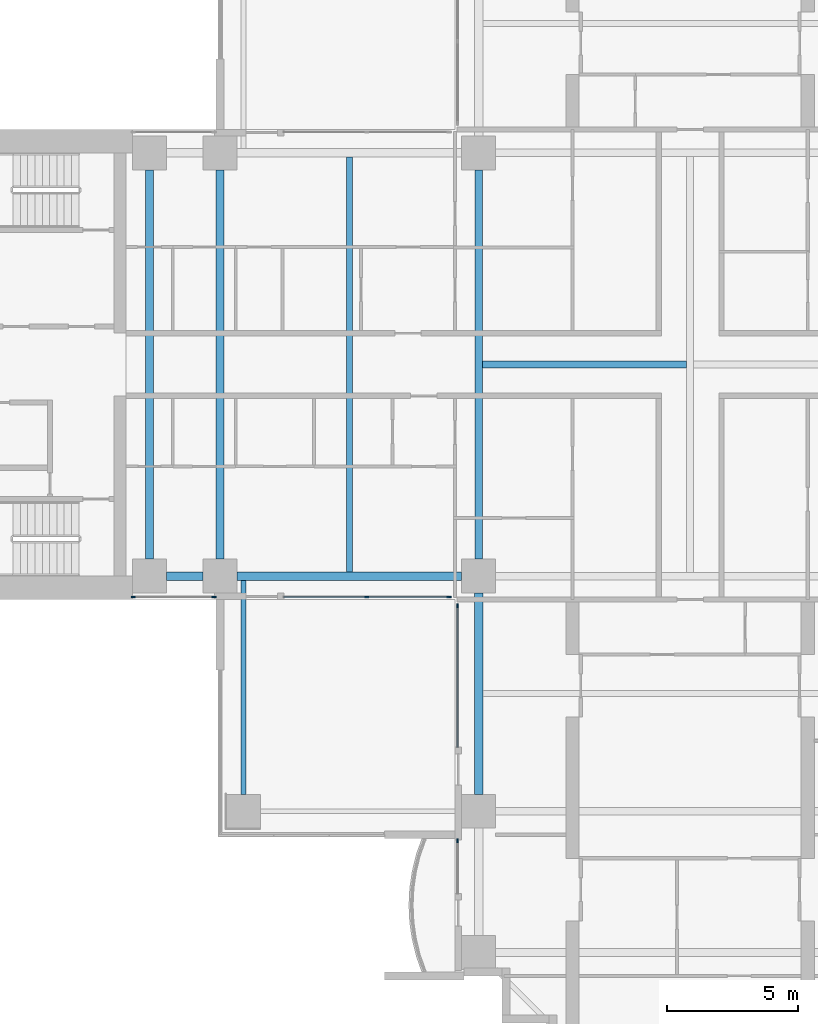
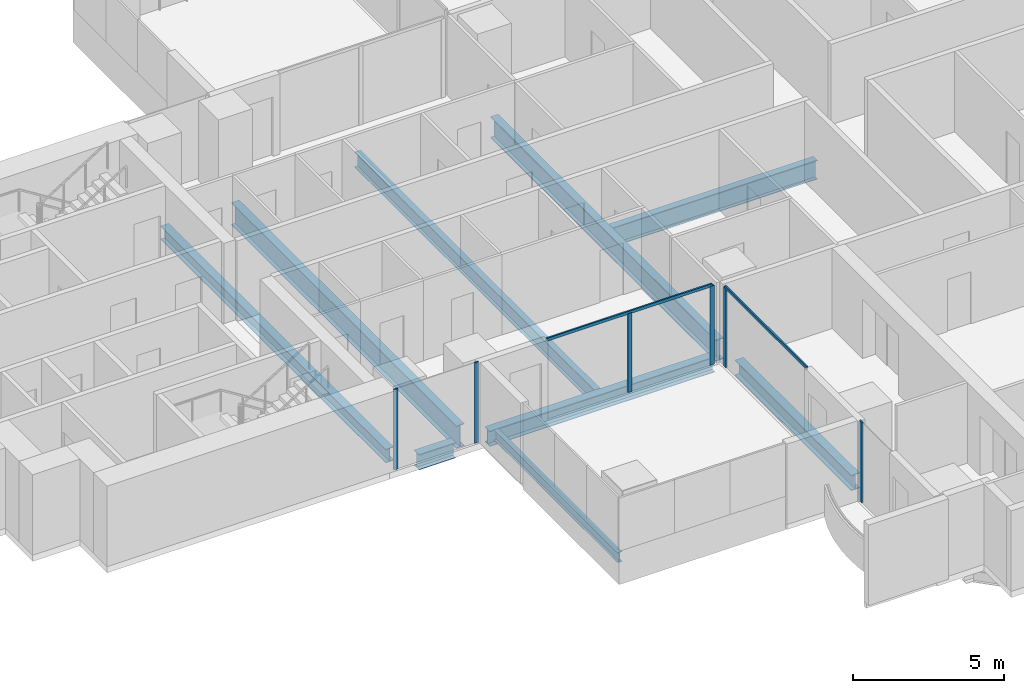
# One storey, part 2 of 20: 9 beams, 8 members, 4 elements without a shape of their own.
"""IFC4 building model written with IfcOpenShell, lengths in metres."""

from ifc_helpers import new_model, si_unit, direction, frame, origin, origin_2d, place, context, subcontext, project, spatial, rectangle, i_section, extrude, material, material_profile, profile_set, type_object, element, aggregate, save


model = new_model("IFC4")

# Units and contexts
model_context = context("Model", 3, precision=1e-05, world=origin(), true_north=direction((0.0, 1.0)))
body_context = subcontext(model_context, "Body", "Model", "MODEL_VIEW")
ifc_project = project(units=[si_unit("LENGTHUNIT", "METRE"), si_unit("AREAUNIT", "SQUARE_METRE"), si_unit("VOLUMEUNIT", "CUBIC_METRE"), si_unit("PLANEANGLEUNIT", "RADIAN"), si_unit("MASSUNIT", "GRAM", prefix="KILO")], contexts=[model_context])

# Site, building, storey
site_placement = place(None, origin())
site = spatial("IfcSite", under=ifc_project, at=site_placement, CompositionType="ELEMENT")
building_placement = place(site_placement, origin())
building = spatial("IfcBuilding", under=site, at=building_placement, Name="Perihelion Cross Residences", CompositionType="ELEMENT")
storey_placement = place(building_placement, frame((0.0, 0.0, 71.5)))
storey = spatial("IfcBuildingStorey", under=building, at=storey_placement, Name="L15", CompositionType="ELEMENT", Elevation=71.5)

# Curtain wall, members
ifc_material_1 = material(Name="Bronze anodised aluminium, tinted glazing", Category="aluminium")
curtain_wall_type = type_object("IfcCurtainWallType", Name="CW1", PredefinedType="NOTDEFINED", material=ifc_material_1)
curtain_wall_1_placement = place(storey_placement, origin())
curtain_wall_1 = element("IfcCurtainWall", 1, at=curtain_wall_1_placement, inside=storey, type_object=curtain_wall_type, Name="Curtain wall CW1 L15 west side south bay 1", PredefinedType="NOTDEFINED")
ifc_material_2 = material(Name="Bronze anodised aluminium", Category="aluminium")
ifc_material_profile_1 = material_profile(ifc_material_2, rectangle(XDim=0.06005859375, YDim=0.159912109375, at=origin_2d()), Name="CW1 mullion")
ifc_profile_set_1 = profile_set([ifc_material_profile_1], Name="Bronze anodised aluminium")
member_type_1 = type_object("IfcMemberType", Name="CW1 mullion", PredefinedType="MULLION", material=ifc_profile_set_1)
member_1_placement = place(storey_placement, frame((-21.320068359375, -8.89990234375, 0.0), z_axis=(0.0, 0.0, 1.0), x_axis=(0.0, 1.0, 0.0)))
member_1 = element("IfcMember", 2, at=member_1_placement, type_object=member_type_1, Name="CW1 mullion 1", PredefinedType="MULLION", context=body_context, shape_type="SweptSolid", body=[
    extrude(rectangle(XDim=0.06005859375, YDim=0.159912109375, at=origin_2d()), origin(), (0.0, 0.0, 1.0), 3.25),
])
member_2_placement = place(storey_placement, frame((-18.22998046875, -8.89990234375, 0.0), z_axis=(0.0, 0.0, 1.0), x_axis=(0.0, 1.0, 0.0)))
member_2 = element("IfcMember", 3, at=member_2_placement, type_object=member_type_1, Name="CW1 mullion 2", PredefinedType="MULLION", context=body_context, shape_type="SweptSolid", body=[
    extrude(rectangle(XDim=0.06005859375, YDim=0.159912109375, at=origin_2d()), origin(), (0.0, 0.0, 1.0), 3.25),
])
aggregate(curtain_wall_1, [member_1, member_2])

curtain_wall_2_placement = place(storey_placement, origin())
curtain_wall_2 = element("IfcCurtainWall", 4, at=curtain_wall_2_placement, inside=storey, type_object=curtain_wall_type, Name="Curtain wall CW1 L15 west side south bay 2", PredefinedType="NOTDEFINED")
member_3_placement = place(storey_placement, frame((-12.375, -8.89990234375, 0.0), z_axis=(0.0, 0.0, 1.0), x_axis=(0.0, 1.0, 0.0)))
member_3 = element("IfcMember", 5, at=member_3_placement, type_object=member_type_1, Name="CW1 mullion 2", PredefinedType="MULLION", context=body_context, shape_type="SweptSolid", body=[
    extrude(rectangle(XDim=0.06005859375, YDim=0.159912109375, at=origin_2d()), origin(), (0.0, 0.0, 1.0), 3.18994140625),
])
member_4_placement = place(storey_placement, frame((-9.22998046875, -8.89990234375, 0.0), z_axis=(0.0, 0.0, 1.0), x_axis=(0.0, 1.0, 0.0)))
member_4 = element("IfcMember", 6, at=member_4_placement, type_object=member_type_1, Name="CW1 mullion 3", PredefinedType="MULLION", context=body_context, shape_type="SweptSolid", body=[
    extrude(rectangle(XDim=0.06005859375, YDim=0.159912109375, at=origin_2d()), origin(), (0.0, 0.0, 1.0), 3.18994140625),
])

# Curtain wall, member
curtain_wall_3_placement = place(storey_placement, origin())
curtain_wall_3 = element("IfcCurtainWall", 7, at=curtain_wall_3_placement, inside=storey, type_object=curtain_wall_type, Name="Curtain wall CW1 L15 south side west bay 1", PredefinedType="NOTDEFINED")
member_5_placement = place(storey_placement, frame((-8.89990234375, -9.22998046875, 0.0), z_axis=(0.0, 0.0, 1.0), x_axis=(1.0, 0.0, 0.0)))
member_5 = element("IfcMember", 8, at=member_5_placement, type_object=member_type_1, Name="CW1 mullion 1", PredefinedType="MULLION", context=body_context, shape_type="SweptSolid", body=[
    extrude(rectangle(XDim=0.06005859375, YDim=0.159912109375, at=origin_2d()), origin(), (0.0, 0.0, 1.0), 3.18994140625),
])

curtain_wall_4_placement = place(storey_placement, origin())
curtain_wall_4 = element("IfcCurtainWall", 9, at=curtain_wall_4_placement, inside=storey, type_object=curtain_wall_type, Name="Curtain wall CW1 L15 south side west bay 2", PredefinedType="NOTDEFINED")
member_6_placement = place(storey_placement, frame((-8.89990234375, -18.22998046875, 0.0), z_axis=(0.0, 0.0, 1.0), x_axis=(1.0, 0.0, 0.0)))
member_6 = element("IfcMember", 10, at=member_6_placement, type_object=member_type_1, Name="CW1 mullion 1", PredefinedType="MULLION", context=body_context, shape_type="SweptSolid", body=[
    extrude(rectangle(XDim=0.06005859375, YDim=0.159912109375, at=origin_2d()), origin(), (0.0, 0.0, 1.0), 3.25),
])
aggregate(curtain_wall_4, [member_6])

# Member
ifc_material_3 = material(Name="Bronze anodised aluminium", Category="aluminium")
ifc_material_profile_2 = material_profile(ifc_material_3, rectangle(XDim=0.06005859375, YDim=0.1201171875, at=origin_2d()), Name="CW1 transom")
ifc_profile_set_2 = profile_set([ifc_material_profile_2], Name="Bronze anodised aluminium")
member_type_2 = type_object("IfcMemberType", Name="CW1 transom", PredefinedType="USERDEFINED", material=ifc_profile_set_2)
member_7_placement = place(storey_placement, frame((-15.550048828125, -8.89990234375, 3.219970703125), z_axis=(1.0, 0.0, 0.0), x_axis=(0.0, 1.0, 0.0)))
member_7 = element("IfcMember", 11, at=member_7_placement, type_object=member_type_2, Name="CW1 head transom", ObjectType="TRANSOM", PredefinedType="USERDEFINED", context=body_context, shape_type="SweptSolid", body=[
    extrude(rectangle(XDim=0.06005859375, YDim=0.1201171875, at=origin_2d()), origin(), (0.0, 0.0, 1.0), 6.320068359375),
])

aggregate(curtain_wall_2, [member_3, member_4, member_7])

member_8_placement = place(storey_placement, frame((-8.89990234375, -9.22998046875, 3.219970703125), z_axis=(0.0, -1.0, 0.0), x_axis=(1.0, 0.0, 0.0)))
member_8 = element("IfcMember", 12, at=member_8_placement, type_object=member_type_2, Name="CW1 head transom", ObjectType="TRANSOM", PredefinedType="USERDEFINED", context=body_context, shape_type="SweptSolid", body=[
    extrude(rectangle(XDim=0.06005859375, YDim=0.1201171875, at=origin_2d()), origin(), (0.0, 0.0, 1.0), 5.419921875),
])

aggregate(curtain_wall_3, [member_5, member_8])

# Beams
ifc_material_4 = material(Name="Steel S355", Category="steel")
ifc_material_profile_3 = material_profile(ifc_material_4, i_section(OverallWidth=0.177978515625, OverallDepth=0.406005859375, WebThickness=0.0078125, FlangeThickness=0.0126953125, at=origin_2d()), Name="W410x60")
ifc_profile_set_3 = profile_set([ifc_material_profile_3], Name="Steel S355")
beam_type_1 = type_object("IfcBeamType", Name="Core edge beam W410x60", PredefinedType="BEAM", material=ifc_profile_set_3)
beam_1_placement = place(storey_placement, frame((-17.10009765625, -8.262451171875, -0.452880859375), z_axis=(0.0, -1.0, 0.0), x_axis=(1.0, 0.0, 0.0)))
element("IfcBeam", 13, at=beam_1_placement, inside=storey, type_object=beam_type_1, Name="Core edge beam TB2 L15 corner no. 1", PredefinedType="BEAM", context=body_context, shape_type="SweptSolid", body=[
    extrude(i_section(OverallWidth=0.177978515625, OverallDepth=0.406005859375, WebThickness=0.0078125, FlangeThickness=0.0126953125, at=origin_2d()), origin(), (0.0, 0.0, 1.0), 8.1875),
])
ifc_material_5 = material(Name="Steel S355", Category="steel")
ifc_material_profile_4 = material_profile(ifc_material_5, i_section(OverallWidth=0.31201171875, OverallDepth=0.5439453125, WebThickness=0.0126953125, FlangeThickness=0.020263671875, at=origin_2d()), Name="W530x150")
ifc_profile_set_4 = profile_set([ifc_material_profile_4], Name="Steel S355")
beam_type_2 = type_object("IfcBeamType", Name="Core edge beam W530x150", PredefinedType="BEAM", material=ifc_profile_set_4)
beam_2_placement = place(storey_placement, frame((-20.699951171875, -7.449951171875, -0.52197265625), z_axis=(0.0, 1.0, 0.0), x_axis=(-1.0, 0.0, 0.0)))
element("IfcBeam", 14, at=beam_2_placement, inside=storey, type_object=beam_type_2, Name="Core edge beam TB4 L15 no. 1", PredefinedType="BEAM", context=body_context, shape_type="SweptSolid", body=[
    extrude(i_section(OverallWidth=0.31201171875, OverallDepth=0.5439453125, WebThickness=0.0126953125, FlangeThickness=0.020263671875, at=origin_2d()), origin(), (0.0, 0.0, 1.0), 14.89990234375),
])
ifc_material_6 = material(Name="Steel S355", Category="steel")
ifc_material_profile_5 = material_profile(ifc_material_6, i_section(OverallWidth=0.324951171875, OverallDepth=0.616943359375, WebThickness=0.013916015625, FlangeThickness=0.021484375, at=origin_2d()), Name="W610x174")
ifc_profile_set_5 = profile_set([ifc_material_profile_5], Name="Steel S355")
beam_type_3 = type_object("IfcBeamType", Name="Edge beam W610x174", PredefinedType="SPANDREL", material=ifc_profile_set_5)
beam_3_placement = place(storey_placement, frame((-20.050048828125, -8.10009765625, -0.55859375), z_axis=(1.0, 0.0, 0.0), x_axis=(0.0, 1.0, 0.0)))
element("IfcBeam", 15, at=beam_3_placement, inside=storey, type_object=beam_type_3, Name="Edge beam SB2 L15 no. 3", PredefinedType="SPANDREL", context=body_context, shape_type="SweptSolid", body=[
    extrude(i_section(OverallWidth=0.324951171875, OverallDepth=0.616943359375, WebThickness=0.013916015625, FlangeThickness=0.021484375, at=origin_2d()), origin(), (0.0, 0.0, 1.0), 1.400146484375),
])
beam_4_placement = place(storey_placement, frame((-17.35009765625, -8.10009765625, -0.55859375), z_axis=(1.0, 0.0, 0.0), x_axis=(0.0, 1.0, 0.0)))
element("IfcBeam", 16, at=beam_4_placement, inside=storey, type_object=beam_type_3, Name="Edge beam SB2 L15 no. 1", PredefinedType="SPANDREL", context=body_context, shape_type="SweptSolid", body=[
    extrude(i_section(OverallWidth=0.324951171875, OverallDepth=0.616943359375, WebThickness=0.013916015625, FlangeThickness=0.021484375, at=origin_2d()), origin(), (0.0, 0.0, 1.0), 8.60009765625),
])
beam_5_placement = place(storey_placement, frame((-8.10009765625, -8.75, -0.55859375), z_axis=(0.0, -1.0, 0.0), x_axis=(1.0, 0.0, 0.0)))
element("IfcBeam", 17, at=beam_5_placement, inside=storey, type_object=beam_type_3, Name="Edge beam SB2 L15 no. 6", PredefinedType="SPANDREL", context=body_context, shape_type="SweptSolid", body=[
    extrude(i_section(OverallWidth=0.324951171875, OverallDepth=0.616943359375, WebThickness=0.013916015625, FlangeThickness=0.021484375, at=origin_2d()), origin(), (0.0, 0.0, 1.0), 7.699951171875),
])
ifc_material_7 = material(Name="Steel S355", Category="steel")
ifc_material_profile_6 = material_profile(ifc_material_7, i_section(OverallWidth=0.304931640625, OverallDepth=0.904052734375, WebThickness=0.01513671875, FlangeThickness=0.02001953125, at=origin_2d()), Name="W920x201")
ifc_profile_set_6 = profile_set([ifc_material_profile_6], Name="Steel S355")
beam_type_4 = type_object("IfcBeamType", Name="Floor girder W920x201", PredefinedType="BEAM", material=ifc_profile_set_6)
beam_6_placement = place(storey_placement, frame((-18.0, -7.449951171875, -0.701904296875), z_axis=(0.0, 1.0, 0.0), x_axis=(-1.0, 0.0, 0.0)))
element("IfcBeam", 18, at=beam_6_placement, inside=storey, type_object=beam_type_4, Name="Girder G2 L15 no. 1", PredefinedType="BEAM", context=body_context, shape_type="SweptSolid", body=[
    extrude(i_section(OverallWidth=0.304931640625, OverallDepth=0.904052734375, WebThickness=0.01513671875, FlangeThickness=0.02001953125, at=origin_2d()), origin(), (0.0, 0.0, 1.0), 14.89990234375),
])
ifc_material_8 = material(Name="Steel S355", Category="steel")
ifc_material_profile_7 = material_profile(ifc_material_8, i_section(OverallWidth=0.22900390625, OverallDepth=0.612060546875, WebThickness=0.011962890625, FlangeThickness=0.01953125, at=origin_2d()), Name="W610x125")
ifc_profile_set_7 = profile_set([ifc_material_profile_7], Name="Steel S355")
beam_type_5 = type_object("IfcBeamType", Name="Floor joist W610x125", PredefinedType="JOIST", material=ifc_profile_set_7)
beam_7_placement = place(storey_placement, frame((-13.050048828125, -7.9375, -0.555908203125), z_axis=(0.0, 1.0, 0.0), x_axis=(-1.0, 0.0, 0.0)))
element("IfcBeam", 19, at=beam_7_placement, inside=storey, type_object=beam_type_5, Name="Joist J3 L15 no. 1", PredefinedType="JOIST", context=body_context, shape_type="SweptSolid", body=[
    extrude(i_section(OverallWidth=0.22900390625, OverallDepth=0.612060546875, WebThickness=0.011962890625, FlangeThickness=0.01953125, at=origin_2d()), origin(), (0.0, 0.0, 1.0), 15.875),
])
ifc_material_9 = material(Name="Steel S355", Category="steel")
ifc_material_profile_8 = material_profile(ifc_material_9, i_section(OverallWidth=0.26708984375, OverallDepth=0.77001953125, WebThickness=0.015625, FlangeThickness=0.025390625, at=origin_2d()), Name="W760x196")
ifc_profile_set_8 = profile_set([ifc_material_profile_8], Name="Steel S355")
beam_type_6 = type_object("IfcBeamType", Name="Hub cross beam W760x196", PredefinedType="BEAM", material=ifc_profile_set_8)
beam_8_placement = place(storey_placement, frame((-7.9541015625, 0.0, -0.635009765625), z_axis=(1.0, 0.0, 0.0), x_axis=(0.0, 1.0, 0.0)))
element("IfcBeam", 20, at=beam_8_placement, inside=storey, type_object=beam_type_6, Name="Hub cross beam XB2 L15 1 no. 1", PredefinedType="BEAM", context=body_context, shape_type="SweptSolid", body=[
    extrude(i_section(OverallWidth=0.26708984375, OverallDepth=0.77001953125, WebThickness=0.015625, FlangeThickness=0.025390625, at=origin_2d()), origin(), (0.0, 0.0, 1.0), 7.820556640625),
])
ifc_material_10 = material(Name="Steel S355", Category="steel")
ifc_material_profile_9 = material_profile(ifc_material_10, i_section(OverallWidth=0.2919921875, OverallDepth=0.85888671875, WebThickness=0.01708984375, FlangeThickness=0.031005859375, at=origin_2d()), Name="W840x251")
ifc_profile_set_9 = profile_set([ifc_material_profile_9], Name="Steel S355")
beam_type_7 = type_object("IfcBeamType", Name="Hub ring girder W840x251", PredefinedType="BEAM", material=ifc_profile_set_9)
beam_9_placement = place(storey_placement, frame((-8.10009765625, 7.449951171875, -0.679443359375), z_axis=(0.0, -1.0, 0.0), x_axis=(1.0, 0.0, 0.0)))
element("IfcBeam", 21, at=beam_9_placement, inside=storey, type_object=beam_type_7, Name="Hub ring girder RG2 L15 no. 2", PredefinedType="BEAM", context=body_context, shape_type="SweptSolid", body=[
    extrude(i_section(OverallWidth=0.2919921875, OverallDepth=0.85888671875, WebThickness=0.01708984375, FlangeThickness=0.031005859375, at=origin_2d()), origin(), (0.0, 0.0, 1.0), 14.89990234375),
])

save(model, "model.ifc")
